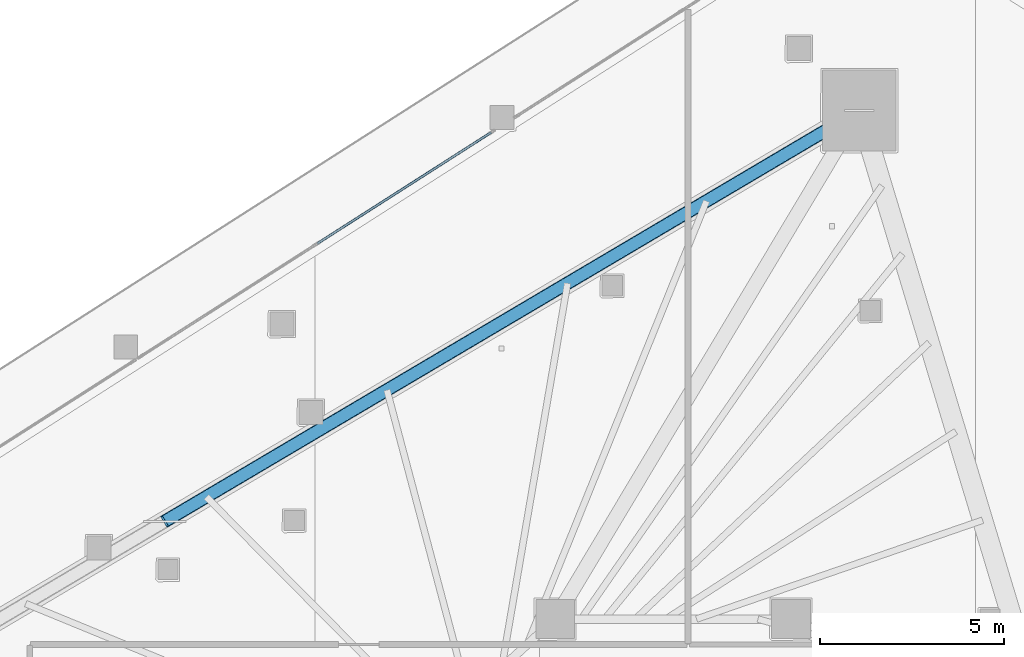
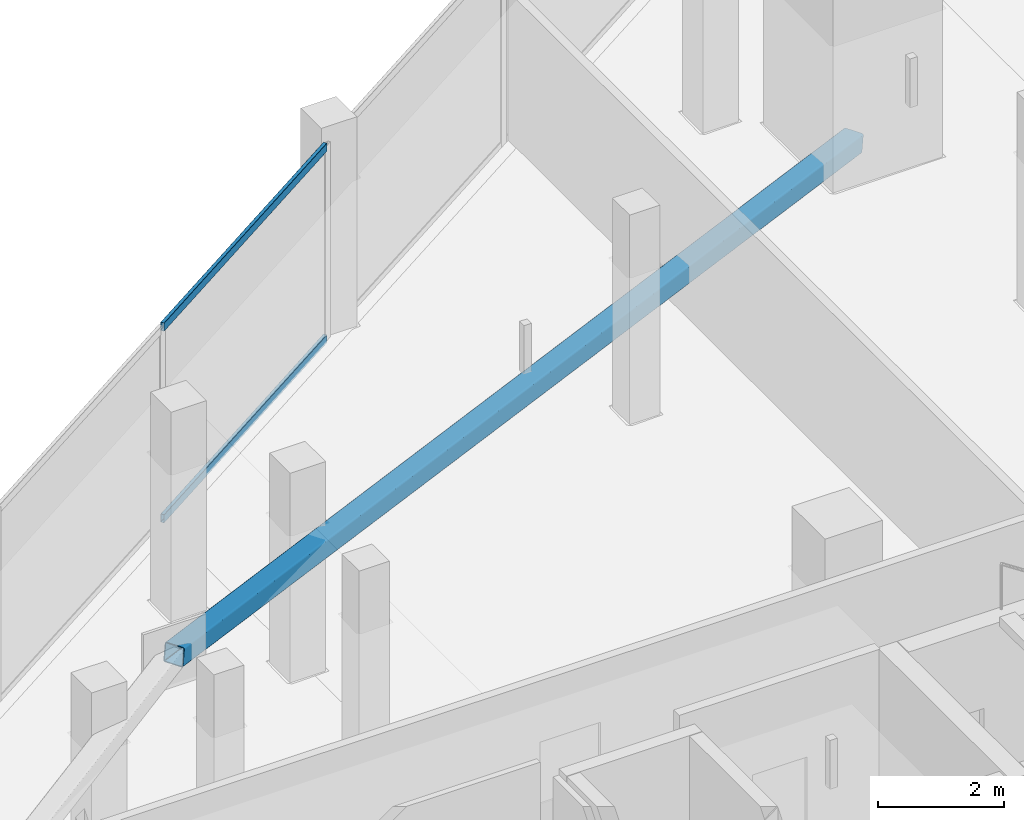
# One storey, part 20 of 45: 3 members, 1 element without a shape of its own.
"""IFC4 building model written with IfcOpenShell, lengths in metres."""

from ifc_helpers import new_model, si_unit, direction, frame, origin, origin_2d, place, context, subcontext, project, spatial, hollow_rectangle, extrude, material, layer, layer_set, material_profile, profile_set, type_object, element, aggregate, save


model = new_model("IFC4")

# Units and contexts
model_context = context("Model", 3, precision=1e-05, world=origin(), true_north=direction((0.0, 1.0)))
body_context = subcontext(model_context, "Body", "Model", "MODEL_VIEW")
ifc_project = project(units=[si_unit("LENGTHUNIT", "METRE"), si_unit("AREAUNIT", "SQUARE_METRE"), si_unit("VOLUMEUNIT", "CUBIC_METRE"), si_unit("PLANEANGLEUNIT", "RADIAN"), si_unit("MASSUNIT", "GRAM", prefix="KILO")], contexts=[model_context])

# Site, building, storey
site_placement = place(None, origin())
site = spatial("IfcSite", under=ifc_project, at=site_placement, CompositionType="ELEMENT")
building_placement = place(site_placement, origin())
building = spatial("IfcBuilding", under=site, at=building_placement, Name="Qorvath Tower", CompositionType="ELEMENT")
storey_placement = place(building_placement, frame((0.0, 0.0, 126.0)))
storey = spatial("IfcBuildingStorey", under=building, at=storey_placement, Name="L28", CompositionType="ELEMENT", Elevation=126.0)

# Curtain wall, members
ifc_material_1 = material(Name="Anodised aluminium and triple low-E glass", Category="aluminium")
ifc_layer = layer(ifc_material_1, 0.179931640625)
ifc_layer_set = layer_set([ifc_layer], Name="CW-SYS-2")
curtain_wall_type = type_object("IfcCurtainWallType", Name="CW-SYS-2", PredefinedType="NOTDEFINED", material=ifc_layer_set)
curtain_wall_placement = place(storey_placement, origin())
curtain_wall = element("IfcCurtainWall", 1, at=curtain_wall_placement, inside=storey, type_object=curtain_wall_type, Name="Curtain Wall CW-2 CW-T-L28-16.2", PredefinedType="NOTDEFINED")
ifc_material_2 = material(Name="Anodised aluminium 6063-T6", Category="aluminium")
ifc_material_profile_1 = material_profile(ifc_material_2, hollow_rectangle(XDim=0.06494140625, YDim=0.159912109375, WallThickness=0.00341796875, InnerFilletRadius=0.00341796875, OuterFilletRadius=0.007080078125, at=origin_2d()), Name="CWT 160x65")
ifc_profile_set_1 = profile_set([ifc_material_profile_1], Name="Anodised aluminium 6063-T6")
member_type_1 = type_object("IfcMemberType", Name="CWT-160", PredefinedType="USERDEFINED", material=ifc_profile_set_1)
member_1_placement = place(storey_placement, frame((-25.3369140625, 24.65380859375, 0.032470703125), z_axis=(-0.842602272664, -0.538536359127, 0.0), x_axis=(0.538536359127, -0.842602272664, 0.0)))
member_1 = element("IfcMember", 2, at=member_1_placement, type_object=member_type_1, Name="CW-2 transom 1.1", ObjectType="TRANSOM", PredefinedType="USERDEFINED", context=body_context, shape_type="SweptSolid", body=[
    extrude(hollow_rectangle(XDim=0.06494140625, YDim=0.159912109375, WallThickness=0.00341796875, InnerFilletRadius=0.00341796875, OuterFilletRadius=0.007080078125, at=origin_2d()), origin(), (0.0, 0.0, 1.0), 5.598876953125),
])
member_2_placement = place(storey_placement, frame((-25.3369140625, 24.65380859375, 3.737548828125), z_axis=(-0.842602272664, -0.538536359127, 0.0), x_axis=(0.538536359127, -0.842602272664, 0.0)))
member_2 = element("IfcMember", 3, at=member_2_placement, type_object=member_type_1, Name="CW-2 transom 1.2", ObjectType="TRANSOM", PredefinedType="USERDEFINED", context=body_context, shape_type="SweptSolid", body=[
    extrude(hollow_rectangle(XDim=0.06494140625, YDim=0.159912109375, WallThickness=0.00341796875, InnerFilletRadius=0.00341796875, OuterFilletRadius=0.007080078125, at=origin_2d()), origin(), (0.0, 0.0, 1.0), 5.598876953125),
])
aggregate(curtain_wall, [member_1, member_2])

# Member
ifc_material_3 = material(Name="Steel ASTM A500 Grade C", Category="steel")
ifc_material_profile_2 = material_profile(ifc_material_3, hollow_rectangle(XDim=0.355712890625, YDim=0.355712890625, WallThickness=0.015869140625, InnerFilletRadius=0.015869140625, OuterFilletRadius=0.03173828125, at=origin_2d()), Name="HSS 356x356x16")
ifc_profile_set_2 = profile_set([ifc_material_profile_2], Name="Steel ASTM A500 Grade C")
member_type_2 = type_object("IfcMemberType", Name="MEM-MB2", PredefinedType="BRACE", material=ifc_profile_set_2)
member_3_placement = place(storey_placement, frame((-15.34423828125, 25.24609375, 0.0), z_axis=(-0.850469444029, -0.502891547317, 0.154278373115), x_axis=(0.508985415689, -0.860775142889, 0.0)))
element("IfcMember", 4, at=member_3_placement, inside=storey, type_object=member_type_2, Name="Perimeter Chevron Brace L28-1A", PredefinedType="BRACE", context=body_context, shape_type="SweptSolid", body=[
    extrude(hollow_rectangle(XDim=0.355712890625, YDim=0.355712890625, WallThickness=0.015869140625, InnerFilletRadius=0.015869140625, OuterFilletRadius=0.03173828125, at=origin_2d()), origin(), (0.0, 0.0, 1.0), 22.167236328125),
])

save(model, "model.ifc")
